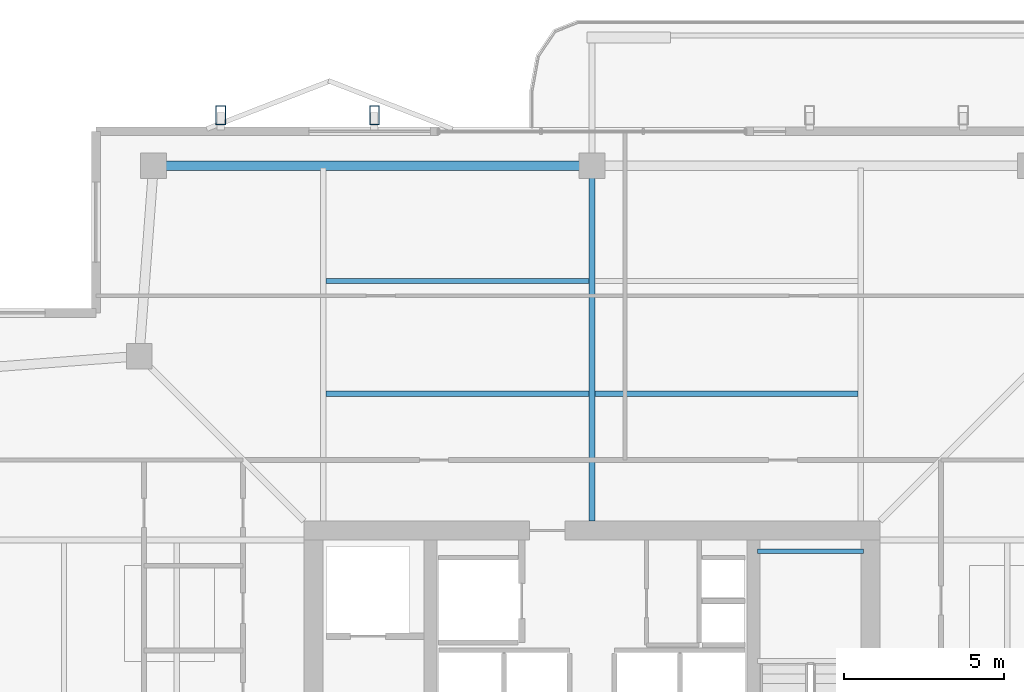
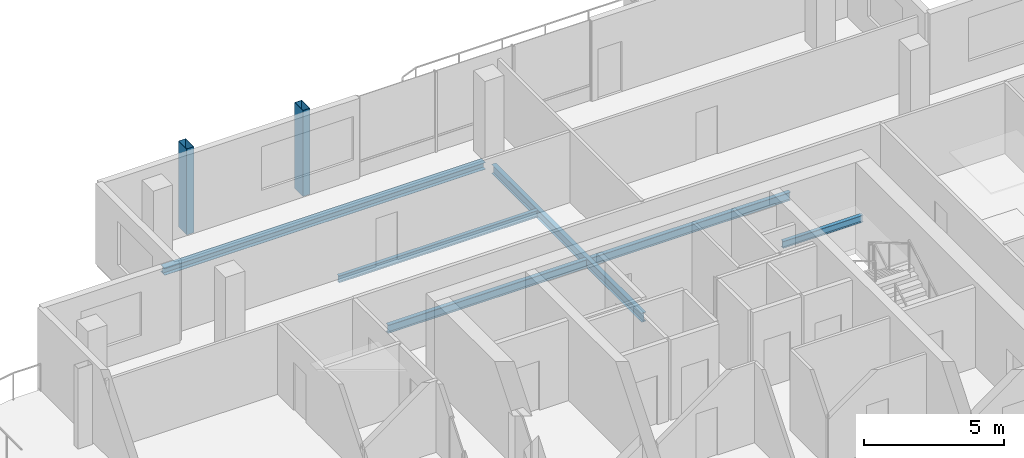
# One storey, part 12 of 22: 6 beams, 2 members.
"""IFC4 building model written with IfcOpenShell, lengths in metres."""

from ifc_helpers import new_model, si_unit, direction, frame, origin, origin_2d, place, context, subcontext, project, spatial, hollow_rectangle, i_section, extrude, material, material_profile, profile_set, type_object, element, save


model = new_model("IFC4")

# Units and contexts
model_context = context("Model", 3, precision=1e-05, world=origin(), true_north=direction((0.0, 1.0)))
body_context = subcontext(model_context, "Body", "Model", "MODEL_VIEW")
ifc_project = project(units=[si_unit("LENGTHUNIT", "METRE"), si_unit("AREAUNIT", "SQUARE_METRE"), si_unit("VOLUMEUNIT", "CUBIC_METRE"), si_unit("PLANEANGLEUNIT", "RADIAN"), si_unit("MASSUNIT", "GRAM", prefix="KILO")], contexts=[model_context])

# Site, building, storey
site_placement = place(None, origin())
site = spatial("IfcSite", under=ifc_project, at=site_placement, CompositionType="ELEMENT")
building_placement = place(site_placement, origin())
building = spatial("IfcBuilding", under=site, at=building_placement, Name="Belovzor Exchange Tower", CompositionType="ELEMENT")
storey_placement = place(building_placement, frame((0.0, 0.0, 348.0)))
storey = spatial("IfcBuildingStorey", under=building, at=storey_placement, Name="L87", CompositionType="ELEMENT", Elevation=348.0)

# Beams
ifc_material_1 = material(Name="Steel S355", Category="steel")
ifc_material_profile_1 = material_profile(ifc_material_1, i_section(OverallWidth=0.169921875, OverallDepth=0.360107421875, WebThickness=0.008056640625, FlangeThickness=0.0126953125, at=origin_2d()))
ifc_profile_set_1 = profile_set([ifc_material_profile_1], Name="Steel S355")
beam_type_1 = type_object("IfcBeamType", Name="Secondary Infill Floor Joist IPE 360", PredefinedType="BEAM", material=ifc_profile_set_1)
beam_1_placement = place(storey_placement, frame((20.489990234375, 41.76904296875, -0.419921875), z_axis=(1.0, 0.0, 0.0), x_axis=(0.0, 1.0, 0.0)))
element("IfcBeam", 1, at=beam_1_placement, inside=storey, type_object=beam_type_1, Name="FJ-360 Secondary Infill Floor Joist IPE 360", PredefinedType="BEAM", context=body_context, shape_type="SweptSolid", body=[
    extrude(i_section(OverallWidth=0.169921875, OverallDepth=0.360107421875, WebThickness=0.008056640625, FlangeThickness=0.0126953125, at=origin_2d()), origin(), (0.0, 0.0, 1.0), 8.219970703125),
])
beam_2_placement = place(storey_placement, frame((28.889892578125, 41.76904296875, -0.419921875), z_axis=(1.0, 0.0, 0.0), x_axis=(0.0, 1.0, 0.0)))
element("IfcBeam", 2, at=beam_2_placement, inside=storey, type_object=beam_type_1, Name="FJ-360 Secondary Infill Floor Joist IPE 360", PredefinedType="BEAM", context=body_context, shape_type="SweptSolid", body=[
    extrude(i_section(OverallWidth=0.169921875, OverallDepth=0.360107421875, WebThickness=0.008056640625, FlangeThickness=0.0126953125, at=origin_2d()), origin(), (0.0, 0.0, 1.0), 8.22021484375),
])
ifc_material_2 = material(Name="Steel S355", Category="steel")
ifc_material_profile_2 = material_profile(ifc_material_2, i_section(OverallWidth=0.14990234375, OverallDepth=0.300048828125, WebThickness=0.007080078125, FlangeThickness=0.0107421875, at=origin_2d()))
ifc_profile_set_2 = profile_set([ifc_material_profile_2], Name="Steel S355")
beam_type_2 = type_object("IfcBeamType", Name="Secondary Trim Floor Joist IPE 300", PredefinedType="BEAM", material=ifc_profile_set_2)
beam_3_placement = place(storey_placement, frame((37.280029296875, 36.85009765625, 1.52490234375), z_axis=(-1.0, 0.0, 0.0), x_axis=(0.0, -1.0, 0.0)))
element("IfcBeam", 3, at=beam_3_placement, inside=storey, type_object=beam_type_2, Name="FJ-300 Secondary Trim Floor Joist IPE 300", PredefinedType="BEAM", context=body_context, shape_type="SweptSolid", body=[
    extrude(i_section(OverallWidth=0.14990234375, OverallDepth=0.300048828125, WebThickness=0.007080078125, FlangeThickness=0.0107421875, at=origin_2d()), origin(), (0.0, 0.0, 1.0), 3.31005859375),
])
beam_4_placement = place(storey_placement, frame((20.489990234375, 45.297119140625, -0.389892578125), z_axis=(1.0, 0.0, 0.0), x_axis=(0.0, 1.0, 0.0)))
element("IfcBeam", 4, at=beam_4_placement, inside=storey, type_object=beam_type_2, Name="FJ-300 Secondary Trim Floor Joist IPE 300", PredefinedType="BEAM", context=body_context, shape_type="SweptSolid", body=[
    extrude(i_section(OverallWidth=0.14990234375, OverallDepth=0.300048828125, WebThickness=0.007080078125, FlangeThickness=0.0107421875, at=origin_2d()), origin(), (0.0, 0.0, 1.0), 8.219970703125),
])

# Members
ifc_material_3 = material(Name="Extruded Architectural Terracotta on Steel S355 Carrier", Category="masonry")
ifc_material_profile_3 = material_profile(ifc_material_3, hollow_rectangle(XDim=0.300048828125, YDim=0.60009765625, WallThickness=0.01611328125, at=origin_2d()))
ifc_profile_set_3 = profile_set([ifc_material_profile_3], Name="Extruded Architectural Terracotta on Steel S355 Carrier")
member_type = type_object("IfcMemberType", Name="Upper Crown Terracotta Fin Assembly 550", PredefinedType="USERDEFINED", material=ifc_profile_set_3)
for number, where, z_axis, x_axis, name in (
    (5, (17.199951171875, 50.47509765625, -0.239990234375), (0.0, 0.0, 1.0), (1.0, 0.0, 0.0), "FIN-TC055 Terracotta Facade Fin L87 N1"),
    (6, (22.0, 50.47509765625, -0.239990234375), (0.0, 0.0, 1.0), (1.0, 0.0, 0.0), "FIN-TC055 Terracotta Facade Fin L87 N2"),
):
    element("IfcMember", number, at=place(storey_placement, frame(where, z_axis=z_axis, x_axis=x_axis)), inside=storey, type_object=member_type, Name=name, ObjectType="FIN", PredefinedType="USERDEFINED", context=body_context, shape_type="SweptSolid", body=[
        extrude(hollow_rectangle(XDim=0.300048828125, YDim=0.60009765625, WallThickness=0.01611328125, at=origin_2d()), origin(), (0.0, 0.0, 1.0), 3.75),
    ])

# Beams
ifc_material_4 = material(Name="Steel S355", Category="steel")
ifc_material_profile_4 = material_profile(ifc_material_4, i_section(OverallWidth=0.179931640625, OverallDepth=0.39990234375, WebThickness=0.008544921875, FlangeThickness=0.013427734375, at=origin_2d()))
ifc_profile_set_4 = profile_set([ifc_material_profile_4], Name="Steel S355")
beam_type_3 = type_object("IfcBeamType", Name="Zone 5-6 Radial Composite Floor Beam IPE 400", PredefinedType="BEAM", material=ifc_profile_set_4)
beam_5_placement = place(storey_placement, frame((28.800048828125, 37.800048828125, -0.43994140625), z_axis=(0.0, 1.0, 0.0), x_axis=(-1.0, 0.0, 0.0)))
element("IfcBeam", 7, at=beam_5_placement, inside=storey, type_object=beam_type_3, Name="FB-400 Zone 5-6 Radial Composite Floor Beam IPE 400", PredefinedType="BEAM", context=body_context, shape_type="SweptSolid", body=[
    extrude(i_section(OverallWidth=0.179931640625, OverallDepth=0.39990234375, WebThickness=0.008544921875, FlangeThickness=0.013427734375, at=origin_2d()), origin(), (0.0, 0.0, 1.0), 10.748046875),
])
ifc_material_5 = material(Name="Steel S355", Category="steel")
ifc_material_profile_5 = material_profile(ifc_material_5, i_section(OverallWidth=0.300048828125, OverallDepth=0.300048828125, WebThickness=0.008544921875, FlangeThickness=0.013916015625, at=origin_2d()))
ifc_profile_set_5 = profile_set([ifc_material_profile_5], Name="Steel S355")
beam_type_4 = type_object("IfcBeamType", Name="Zone 6 Primary Girder HEA 300", PredefinedType="BEAM", material=ifc_profile_set_5)
beam_6_placement = place(storey_placement, frame((28.580078125, 48.89990234375, -0.389892578125), z_axis=(-1.0, 0.0, 0.0), x_axis=(0.0, -1.0, 0.0)))
element("IfcBeam", 8, at=beam_6_placement, inside=storey, type_object=beam_type_4, Name="FG-Z6 Zone 6 Primary Girder HEA 300", PredefinedType="BEAM", context=body_context, shape_type="SweptSolid", body=[
    extrude(i_section(OverallWidth=0.300048828125, OverallDepth=0.300048828125, WebThickness=0.008544921875, FlangeThickness=0.013916015625, at=origin_2d()), origin(), (0.0, 0.0, 1.0), 13.260009765625),
])

save(model, "model.ifc")
